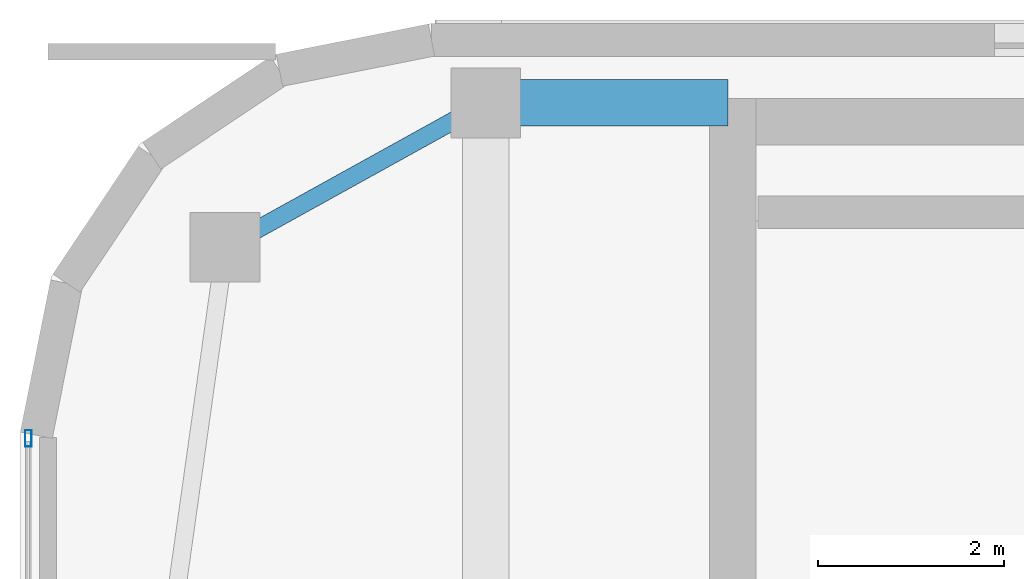
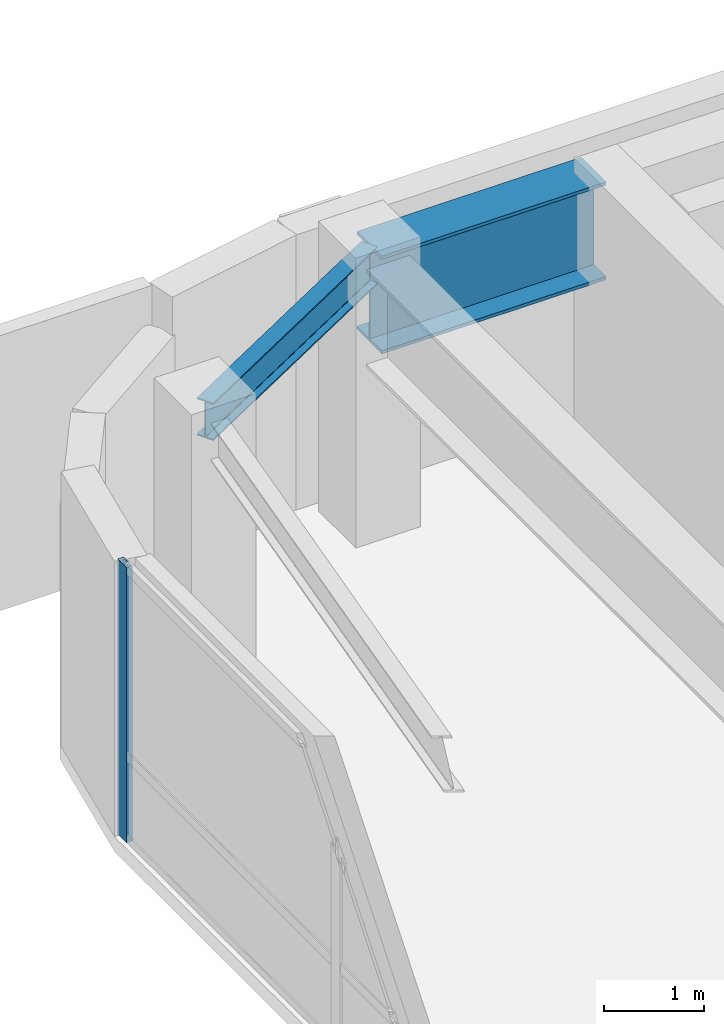
# One storey, part 13 of 21: 2 beams, 1 member, 1 element without a shape of its own.
"""IFC4 building model written with IfcOpenShell, lengths in metres."""

from ifc_helpers import new_model, si_unit, direction, frame, origin, origin_2d, place, context, subcontext, project, spatial, hollow_rectangle, i_section, extrude, source, transform, mapped, material, layer, layer_set, material_profile, profile_set, type_object, type_shapes, element, aggregate, save


model = new_model("IFC4")

# Units and contexts
model_context = context("Model", 3, precision=1e-05, world=origin(), true_north=direction((0.0, 1.0)))
body_context = subcontext(model_context, "Body", "Model", "MODEL_VIEW")
ifc_project = project(units=[si_unit("LENGTHUNIT", "METRE"), si_unit("AREAUNIT", "SQUARE_METRE"), si_unit("VOLUMEUNIT", "CUBIC_METRE"), si_unit("PLANEANGLEUNIT", "RADIAN"), si_unit("MASSUNIT", "GRAM", prefix="KILO")], contexts=[model_context])

# Site, building, storey
site_placement = place(None, origin())
site = spatial("IfcSite", under=ifc_project, at=site_placement, CompositionType="ELEMENT")
building_placement = place(site_placement, origin())
building = spatial("IfcBuilding", under=site, at=building_placement, Name="Tolvann Quenvar Hotel", CompositionType="ELEMENT")
storey_placement = place(building_placement, frame((0.0, 0.0, 227.449951171875)))
storey = spatial("IfcBuildingStorey", under=building, at=storey_placement, Name="L60", CompositionType="ELEMENT", Elevation=227.449951171875)

# Beams
ifc_material_1 = material(Name="Steel Grade 350", Category="steel")
ifc_material_profile_1 = material_profile(ifc_material_1, i_section(OverallWidth=0.5, OverallDepth=1.199951171875, WebThickness=0.01611328125, FlangeThickness=0.0400390625, at=origin_2d()), Name="1200WB455")
ifc_profile_set_1 = profile_set([ifc_material_profile_1], Name="Steel Grade 350")
beam_type_1 = type_object("IfcBeamType", Name="BM_TG_1200WB455", PredefinedType="USERDEFINED", material=ifc_profile_set_1)
shared_shape_1 = source(origin(), body_context, "Body", "SweptSolid", [
    extrude(i_section(OverallWidth=0.5, OverallDepth=1.199951171875, WebThickness=0.01611328125, FlangeThickness=0.0400390625, at=origin_2d()), origin(), (0.0, 0.0, 1.0), 2.599853515625),
])
type_shapes(beam_type_1, [shared_shape_1])
beam_1_placement = place(storey_placement, frame((7.60009765625, 45.14990234375, 2.77001953125), z_axis=(1.0, 0.0, 0.0), x_axis=(0.0, 1.0, 0.0)))
element("IfcBeam", 1, at=beam_1_placement, inside=storey, type_object=beam_type_1, Name="BM-L60-CTW-CN", ObjectType="TRANSFER GIRDER", PredefinedType="USERDEFINED", context=body_context, shape_type="MappedRepresentation", body=[
    mapped(shared_shape_1, transform((0.0, 0.0, 0.0), x_axis=(1.0, 0.0, 0.0), y_axis=(0.0, 1.0, 0.0), z_axis=(0.0, 0.0, 1.0), scale=1.0)),
])
ifc_material_profile_2 = material_profile(ifc_material_1, i_section(OverallWidth=0.19091796875, OverallDepth=0.4599609375, WebThickness=0.010009765625, FlangeThickness=0.01611328125, FilletRadius=0.011474609375, at=origin_2d()), Name="460UB82")
ifc_profile_set_2 = profile_set([ifc_material_profile_2], Name="Steel Grade 350")
beam_type_2 = type_object("IfcBeamType", Name="BM_SPAND_460UB82", PredefinedType="SPANDREL", material=ifc_profile_set_2)
shared_shape_2 = source(origin(), body_context, "Body", "SweptSolid", [
    extrude(i_section(OverallWidth=0.19091796875, OverallDepth=0.4599609375, WebThickness=0.010009765625, FlangeThickness=0.01611328125, FilletRadius=0.011474609375, at=origin_2d()), origin(), (0.0, 0.0, 1.0), 3.200439453125),
])
type_shapes(beam_type_2, [shared_shape_2])
beam_2_placement = place(storey_placement, frame((4.800048828125, 43.60009765625, 3.14013671875), z_axis=(0.87492264453, 0.48426270359, 0.0), x_axis=(-0.48426270359, 0.87492264453, 0.0)))
element("IfcBeam", 2, at=beam_2_placement, inside=storey, type_object=beam_type_2, Name="BM-L60-FLK-W3", PredefinedType="SPANDREL", context=body_context, shape_type="MappedRepresentation", body=[
    mapped(shared_shape_2, transform((0.0, 0.0, 0.0), x_axis=(1.0, 0.0, 0.0), y_axis=(0.0, 1.0, 0.0), z_axis=(0.0, 0.0, 1.0), scale=1.0)),
])

# Curtain wall, member
ifc_material_2 = material(Name="Thermally broken anodised architectural aluminium 6063-T6 and laminated low-E glass", Category="aluminium")
ifc_layer = layer(ifc_material_2, 0.179931640625)
ifc_layer_set = layer_set([ifc_layer], Name="Thermally broken anodised architectural aluminium 6063-T6 and laminated low-E glass")
curtain_wall_type = type_object("IfcCurtainWallType", Name="CW_SYS_BAND_04", PredefinedType="USERDEFINED", material=ifc_layer_set)
curtain_wall_placement = place(storey_placement, origin())
curtain_wall = element("IfcCurtainWall", 3, at=curtain_wall_placement, inside=storey, type_object=curtain_wall_type, Name="Curtain Wall CW-BAND-04 (CWR-L60-E19)", ObjectType="UNITISED CURTAIN WALL", PredefinedType="USERDEFINED")
ifc_material_3 = material(Name="Anodised architectural aluminium 6063-T6 framing", Category="aluminium")
ifc_material_profile_3 = material_profile(ifc_material_3, hollow_rectangle(XDim=0.070068359375, YDim=0.179931640625, WallThickness=0.00390625, at=origin_2d()), Name="180x70x4RHS")
ifc_profile_set_3 = profile_set([ifc_material_profile_3], Name="Anodised architectural aluminium 6063-T6 framing")
member_type = type_object("IfcMemberType", Name="CW_MULL_180x70", PredefinedType="MULLION", material=ifc_profile_set_3)
shared_shape_3 = source(origin(), body_context, "Body", "SweptSolid", [
    extrude(hollow_rectangle(XDim=0.070068359375, YDim=0.179931640625, WallThickness=0.00390625, at=origin_2d()), origin(), (0.0, 0.0, 1.0), 3.3701171875),
])
type_shapes(member_type, [shared_shape_3])
member_placement = place(storey_placement, frame((2.68994140625, 41.5478515625, 0.0), z_axis=(0.0, 0.0, 1.0), x_axis=(1.0, 0.0, 0.0)))
member = element("IfcMember", 4, at=member_placement, type_object=member_type, Name="CW-BAND-04 mullion 1", PredefinedType="MULLION", context=body_context, shape_type="MappedRepresentation", body=[
    mapped(shared_shape_3, transform((0.0, 0.0, 0.0), x_axis=(1.0, 0.0, 0.0), y_axis=(0.0, 1.0, 0.0), z_axis=(0.0, 0.0, 1.0), scale=1.0)),
])
aggregate(curtain_wall, [member])

save(model, "model.ifc")
